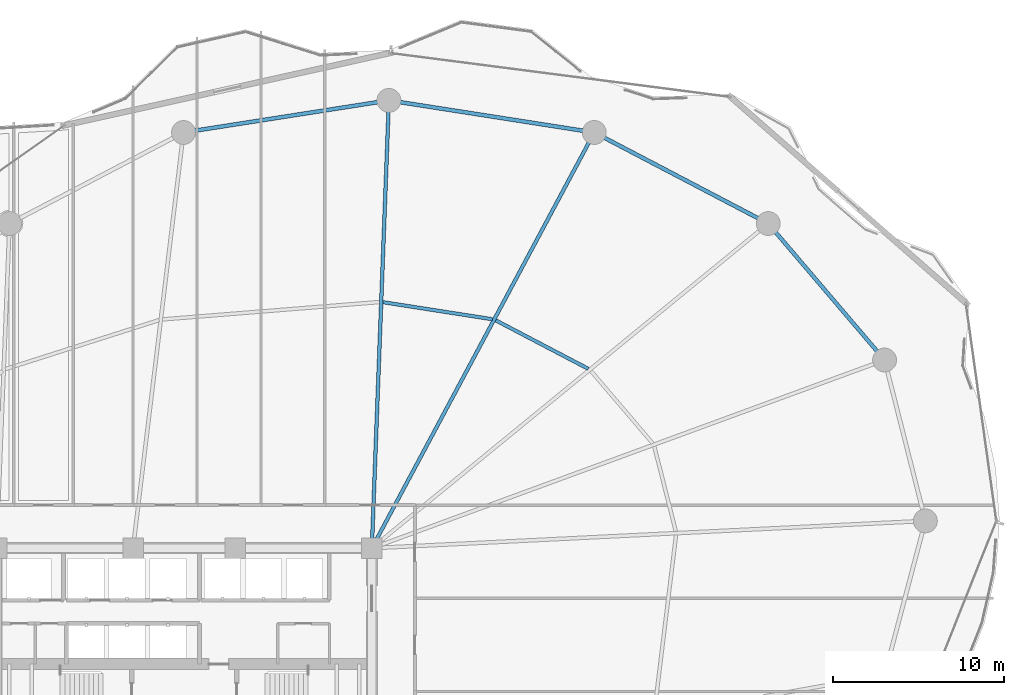
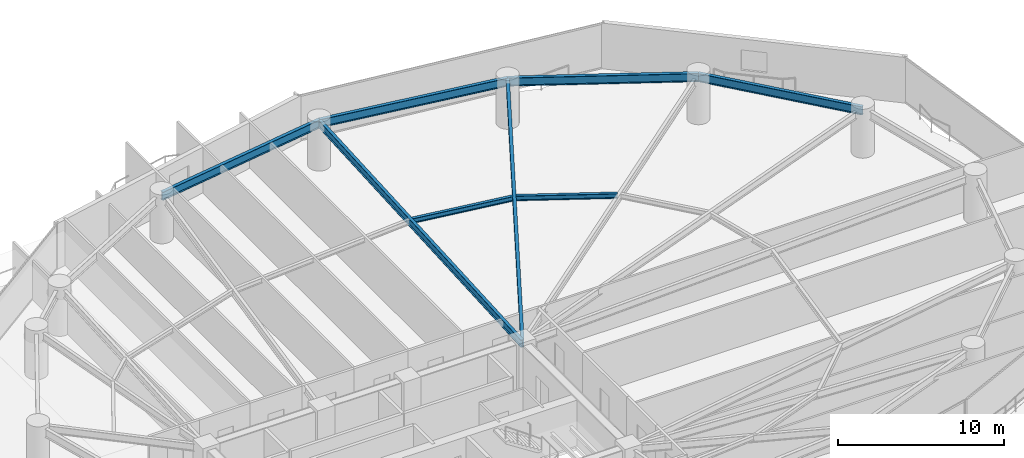
# One storey, part 18 of 31: 8 beams.
"""IFC4 building model written with IfcOpenShell, lengths in metres."""

from ifc_helpers import new_model, si_unit, direction, frame, origin, origin_2d, place, context, subcontext, project, spatial, i_section, extrude, material, material_profile, profile_set, type_object, element, save


model = new_model("IFC4")

# Units and contexts
model_context = context("Model", 3, precision=1e-05, world=origin(), true_north=direction((0.0, 1.0)))
body_context = subcontext(model_context, "Body", "Model", "MODEL_VIEW")
ifc_project = project(units=[si_unit("LENGTHUNIT", "METRE"), si_unit("AREAUNIT", "SQUARE_METRE"), si_unit("VOLUMEUNIT", "CUBIC_METRE"), si_unit("PLANEANGLEUNIT", "RADIAN"), si_unit("MASSUNIT", "GRAM", prefix="KILO")], contexts=[model_context])

# Site, building, storey
site_placement = place(None, origin())
site = spatial("IfcSite", under=ifc_project, at=site_placement, CompositionType="ELEMENT")
building_placement = place(site_placement, origin())
building = spatial("IfcBuilding", under=site, at=building_placement, Name="Kazevale Care Tower and Concert Hall", CompositionType="ELEMENT")
storey_placement = place(building_placement, frame((0.0, 0.0, 56.39990234375)))
storey = spatial("IfcBuildingStorey", under=building, at=storey_placement, Name="L14", CompositionType="ELEMENT", Elevation=56.39990234375)

# Beams
ifc_material = material(Name="Steel ASTM A572 Gr 50", Category="steel")
ifc_material_profile_1 = material_profile(ifc_material, i_section(OverallWidth=0.2119140625, OverallDepth=0.5439453125, WebThickness=0.01318359375, FlangeThickness=0.021240234375, at=origin_2d()), Name="W530x123")
ifc_profile_set_1 = profile_set([ifc_material_profile_1], Name="Steel ASTM A572 Gr 50")
beam_type_1 = type_object("IfcBeamType", Name="Radial Floor Girder W530x123", PredefinedType="BEAM", material=ifc_profile_set_1)
beam_1_placement = place(storey_placement, frame((44.0, 36.39990234375, 3.088134765625), z_axis=(0.471788966953, 0.88171150081, 0.0), x_axis=(-0.88171150081, 0.471788966953, 0.0)))
element("IfcBeam", 1, at=beam_1_placement, inside=storey, type_object=beam_type_1, Name="beam:L14:rad:04", PredefinedType="BEAM", context=body_context, shape_type="SweptSolid", body=[
    extrude(i_section(OverallWidth=0.2119140625, OverallDepth=0.5439453125, WebThickness=0.01318359375, FlangeThickness=0.021240234375, at=origin_2d()), origin(), (0.0, 0.0, 1.0), 27.6396484375),
])
beam_2_placement = place(storey_placement, frame((44.0, 36.39990234375, 3.088134765625), z_axis=(0.038067625343, 0.999275165258, 0.0), x_axis=(-0.999275165258, 0.038067625343, 0.0)))
element("IfcBeam", 2, at=beam_2_placement, inside=storey, type_object=beam_type_1, Name="beam:L14:rad:05", PredefinedType="BEAM", context=body_context, shape_type="SweptSolid", body=[
    extrude(i_section(OverallWidth=0.2119140625, OverallDepth=0.5439453125, WebThickness=0.01318359375, FlangeThickness=0.021240234375, at=origin_2d()), origin(), (0.0, 0.0, 1.0), 26.26904296875),
])
ifc_material_profile_2 = material_profile(ifc_material, i_section(OverallWidth=0.22900390625, OverallDepth=0.612060546875, WebThickness=0.011962890625, FlangeThickness=0.01953125, at=origin_2d()), Name="W610x125")
ifc_profile_set_2 = profile_set([ifc_material_profile_2], Name="Steel ASTM A572 Gr 50")
beam_type_2 = type_object("IfcBeamType", Name="Ring Spandrel Beam W610x125", PredefinedType="SPANDREL", material=ifc_profile_set_2)
beam_3_placement = place(storey_placement, frame((74.06005859375, 47.429931640625, 3.05419921875), z_axis=(-0.648756004283, 0.760996482848, 0.0), x_axis=(-0.760996482848, -0.648756004283, 0.0)))
element("IfcBeam", 3, at=beam_3_placement, inside=storey, type_object=beam_type_2, Name="beam:L14:ring:02", PredefinedType="SPANDREL", context=body_context, shape_type="SweptSolid", body=[
    extrude(i_section(OverallWidth=0.22900390625, OverallDepth=0.612060546875, WebThickness=0.011962890625, FlangeThickness=0.01953125, at=origin_2d()), origin(), (0.0, 0.0, 1.0), 10.512451171875),
])
beam_4_placement = place(storey_placement, frame((67.239990234375, 55.429931640625, 3.05419921875), z_axis=(-0.885929466679, 0.463819986708, 0.0), x_axis=(-0.463819986708, -0.885929466679, 0.0)))
element("IfcBeam", 4, at=beam_4_placement, inside=storey, type_object=beam_type_2, Name="beam:L14:ring:03", PredefinedType="SPANDREL", context=body_context, shape_type="SweptSolid", body=[
    extrude(i_section(OverallWidth=0.22900390625, OverallDepth=0.612060546875, WebThickness=0.011962890625, FlangeThickness=0.01953125, at=origin_2d()), origin(), (0.0, 0.0, 1.0), 11.51318359375),
])
for number, where, z_axis, x_axis, name in (
    (5, (57.0400390625, 60.77001953125, 3.05419921875), (-0.988029216561, 0.154266870134, 0.0), (-0.154266870134, -0.988029216561, 0.0), "beam:L14:ring:04"),
    (6, (45.0, 62.64990234375, 3.05419921875), (-0.988029216561, -0.154266870134, 0.0), (0.154266870134, -0.988029216561, 0.0), "beam:L14:ring:05"),
):
    element("IfcBeam", number, at=place(storey_placement, frame(where, z_axis=z_axis, x_axis=x_axis)), inside=storey, type_object=beam_type_2, Name=name, PredefinedType="SPANDREL", context=body_context, shape_type="SweptSolid", body=[
        extrude(i_section(OverallWidth=0.22900390625, OverallDepth=0.612060546875, WebThickness=0.011962890625, FlangeThickness=0.01953125, at=origin_2d()), origin(), (0.0, 0.0, 1.0), 12.18603515625),
    ])
ifc_material_profile_3 = material_profile(ifc_material, i_section(OverallWidth=0.205078125, OverallDepth=0.35400390625, WebThickness=0.009521484375, FlangeThickness=0.016845703125, at=origin_2d()), Name="W360x79")
ifc_profile_set_3 = profile_set([ifc_material_profile_3], Name="Steel ASTM A572 Gr 50")
beam_type_3 = type_object("IfcBeamType", Name="Secondary Floor Joist W360x79", PredefinedType="JOIST", material=ifc_profile_set_3)
beam_5_placement = place(storey_placement, frame((56.68896484375, 46.9150390625, 3.18310546875), z_axis=(-0.885921274797, 0.463835633454, 0.0), x_axis=(-0.463835633454, -0.885921274797, 0.0)))
element("IfcBeam", 7, at=beam_5_placement, inside=storey, type_object=beam_type_3, Name="beam:L14:joist:03", PredefinedType="JOIST", context=body_context, shape_type="SweptSolid", body=[
    extrude(i_section(OverallWidth=0.205078125, OverallDepth=0.35400390625, WebThickness=0.009521484375, FlangeThickness=0.016845703125, at=origin_2d()), origin(), (0.0, 0.0, 1.0), 6.12255859375),
])
beam_6_placement = place(storey_placement, frame((51.068115234375, 49.820068359375, 3.18310546875), z_axis=(-0.988040697826, 0.154193318403, 0.0), x_axis=(-0.154193318403, -0.988040697826, 0.0)))
element("IfcBeam", 8, at=beam_6_placement, inside=storey, type_object=beam_type_3, Name="beam:L14:joist:04", PredefinedType="JOIST", context=body_context, shape_type="SweptSolid", body=[
    extrude(i_section(OverallWidth=0.205078125, OverallDepth=0.35400390625, WebThickness=0.009521484375, FlangeThickness=0.016845703125, at=origin_2d()), origin(), (0.0, 0.0, 1.0), 6.49169921875),
])

save(model, "model.ifc")
